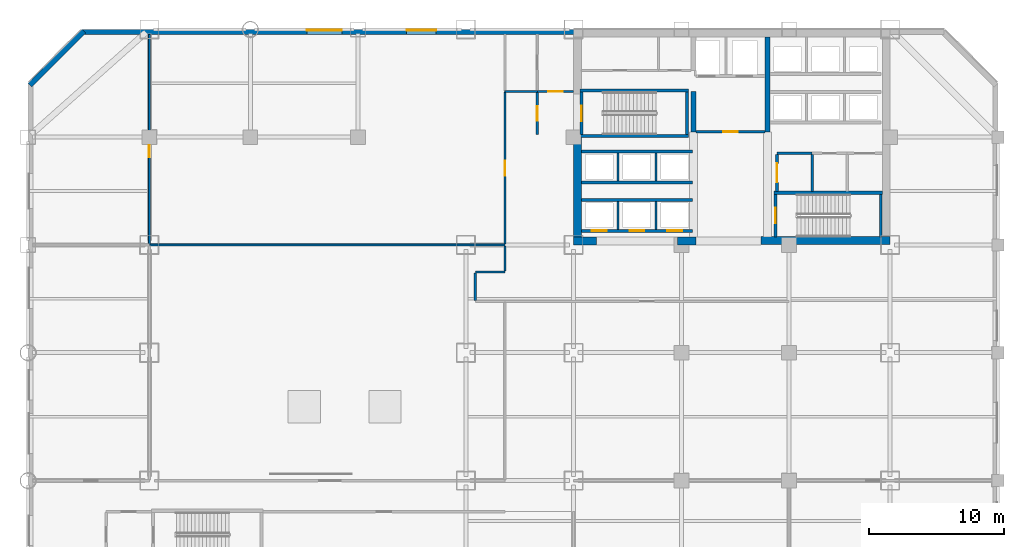
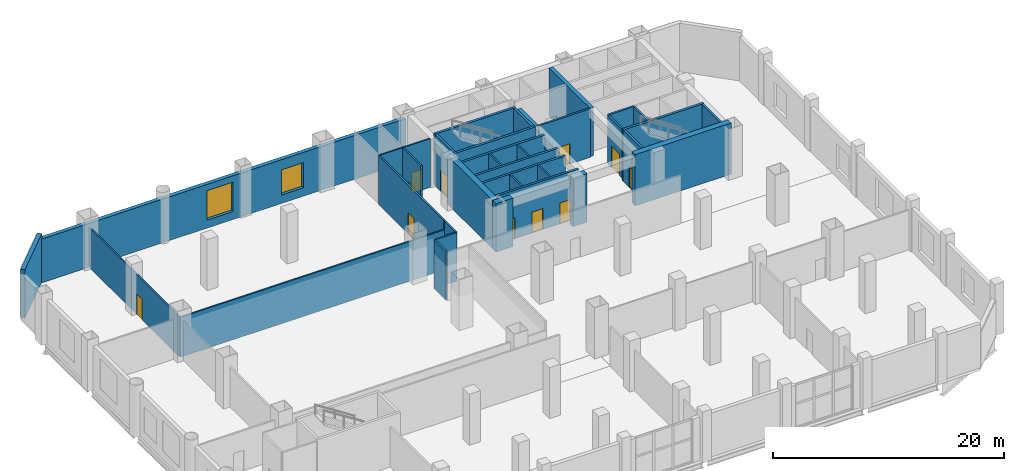
# One storey, part 12 of 18: 36 walls, 11 doors, 2 windows, 13 openings.
"""IFC4 building model written with IfcOpenShell, lengths in metres."""

from ifc_helpers import new_model, si_unit, direction, frame, frame_2d, origin, place, context, subcontext, project, spatial, rectangle, extrude, material, layer, layer_set, type_object, element, fill, save


model = new_model("IFC4")

# Units and contexts
model_context = context("Model", 3, precision=1e-05, world=origin(), true_north=direction((0.0, 1.0)))
body_context = subcontext(model_context, "Body", "Model", "MODEL_VIEW")
ifc_project = project(units=[si_unit("LENGTHUNIT", "METRE"), si_unit("AREAUNIT", "SQUARE_METRE"), si_unit("VOLUMEUNIT", "CUBIC_METRE"), si_unit("PLANEANGLEUNIT", "RADIAN"), si_unit("MASSUNIT", "GRAM", prefix="KILO")], contexts=[model_context])

# Site, building, storey
site_placement = place(None, origin())
site = spatial("IfcSite", under=ifc_project, at=site_placement, CompositionType="ELEMENT")
building_placement = place(site_placement, origin())
building = spatial("IfcBuilding", under=site, at=building_placement, Name="Qianrong Seaharbour Tower", CompositionType="ELEMENT")
storey_placement = place(building_placement, frame((0.0, 0.0, 6.0)))
storey = spatial("IfcBuildingStorey", under=building, at=storey_placement, Name="L02", CompositionType="ELEMENT", Elevation=6.0)

# Walls
ifc_material_1 = material(Name="Concrete C70/85", Category="concrete")
ifc_layer_1 = layer(ifc_material_1, 0.580078125)
ifc_layer_set_1 = layer_set([ifc_layer_1], Name="Concrete C70/85")
wall_type_1 = type_object("IfcWallType", Name="WALL-CORE-580", PredefinedType="SHEAR", material=ifc_layer_set_1)
wall_1_placement = place(storey_placement, frame((40.7900390625, 36.580078125, 0.0), z_axis=(0.0, 0.0, 1.0), x_axis=(0.0, 1.0, 0.0)))
element("IfcWall", 1, at=wall_1_placement, inside=storey, type_object=wall_type_1, Name="L02 West Core Shear Wall South", PredefinedType="SHEAR", context=body_context, shape_type="SweptSolid", body=[
    extrude(rectangle(XDim=7.81982421875, YDim=0.580078125, at=frame_2d((3.909912109375, 0.0))), origin(), (0.0, 0.0, 1.0), 5.1201171875),
])
wall_2_placement = place(storey_placement, frame((40.5, 36.2900390625, 0.0), z_axis=(0.0, 0.0, 1.0), x_axis=(1.0, 0.0, 0.0)))
element("IfcWall", 2, at=wall_2_placement, inside=storey, type_object=wall_type_1, Name="L02 South Core Shear Wall S1", PredefinedType="SHEAR", context=body_context, shape_type="SweptSolid", body=[
    extrude(rectangle(XDim=1.699951171875, YDim=0.580078125, at=frame_2d((0.85009765625, 0.0))), origin(), (0.0, 0.0, 1.0), 5.1201171875),
])
wall_3_placement = place(storey_placement, frame((48.199951171875, 36.2900390625, 0.0), z_axis=(0.0, 0.0, 1.0), x_axis=(1.0, 0.0, 0.0)))
element("IfcWall", 3, at=wall_3_placement, inside=storey, type_object=wall_type_1, Name="L02 South Core Shear Wall S2", PredefinedType="SHEAR", context=body_context, shape_type="SweptSolid", body=[
    extrude(rectangle(XDim=1.400146484375, YDim=0.580078125, at=frame_2d((0.7001953125, 0.0))), origin(), (0.0, 0.0, 1.0), 5.1201171875),
])
wall_4_placement = place(storey_placement, frame((54.39990234375, 36.320068359375, 0.0), z_axis=(0.0, 0.0, 1.0), x_axis=(1.0, 0.0, 0.0)))
element("IfcWall", 4, at=wall_4_placement, inside=storey, type_object=wall_type_1, Name="L02 South Core Shear Wall S3", PredefinedType="SHEAR", context=body_context, shape_type="SweptSolid", body=[
    extrude(rectangle(XDim=9.60009765625, YDim=0.580078125, at=frame_2d((4.800048828125, 0.0))), origin(), (0.0, 0.0, 1.0), 5.39990234375),
])
ifc_material_2 = material(Name="Concrete C60/75", Category="concrete")
ifc_layer_2 = layer(ifc_material_2, 0.3798828125)
ifc_layer_set_2 = layer_set([ifc_layer_2], Name="Concrete C60/75")
wall_type_2 = type_object("IfcWallType", Name="WALL-CORE-INT-380", PredefinedType="SHEAR", material=ifc_layer_set_2)
wall_5_placement = place(storey_placement, frame((49.39990234375, 44.39990234375, 0.0), z_axis=(0.0, 0.0, 1.0), x_axis=(0.0, 1.0, 0.0)))
element("IfcWall", 5, at=wall_5_placement, inside=storey, type_object=wall_type_2, Name="L02 Internal Core Shear Wall IW1N1", PredefinedType="SHEAR", context=body_context, shape_type="SweptSolid", body=[
    extrude(rectangle(XDim=3.0, YDim=0.3798828125, at=frame_2d((1.5, 0.0))), origin(), (0.0, 0.0, 1.0), 5.1201171875),
])
wall_6_placement = place(storey_placement, frame((54.89990234375, 44.39990234375, 0.0), z_axis=(0.0, 0.0, 1.0), x_axis=(0.0, 1.0, 0.0)))
element("IfcWall", 6, at=wall_6_placement, inside=storey, type_object=wall_type_2, Name="L02 Internal Core Shear Wall IW2N", PredefinedType="SHEAR", context=body_context, shape_type="SweptSolid", body=[
    extrude(rectangle(XDim=7.02001953125, YDim=0.3798828125, at=frame_2d((3.510009765625, 0.0))), origin(), (0.0, 0.0, 1.0), 5.1201171875),
])

# Wall, opening, door
ifc_material_3 = material(Name="Fire-rated acoustic gypsum board partition")
ifc_layer_3 = layer(ifc_material_3, 0.1650390625)
ifc_layer_set_3 = layer_set([ifc_layer_3], Name="Fire-rated acoustic gypsum board partition")
wall_type_3 = type_object("IfcWallType", Name="WALL-CORR-PART-165", PredefinedType="PARTITIONING", material=ifc_layer_set_3)
wall_7_placement = place(storey_placement, frame((37.800048828125, 47.39990234375, 0.0), z_axis=(0.0, 0.0, 1.0), x_axis=(1.0, 0.0, 0.0)))
wall_7 = element("IfcWall", 7, at=wall_7_placement, inside=storey, type_object=wall_type_3, Name="L02 Interior Partition Wall 001", PredefinedType="PARTITIONING", context=body_context, shape_type="SweptSolid", body=[
    extrude(rectangle(XDim=2.699951171875, YDim=0.1650390625, at=frame_2d((1.35009765625, 0.0))), origin(), (0.0, 0.0, 1.0), 5.1201171875),
])
opening_1_placement = place(wall_7_placement, frame((0.824951171875, 0.0, 0.0)))
opening_1 = element("IfcOpeningElement", 8, at=opening_1_placement, cuts=wall_7, Name="Opening DC-01", PredefinedType="OPENING", context=body_context, shape_type="SweptSolid", body=[
    extrude(rectangle(XDim=1.050048828125, YDim=2.14990234375, at=frame_2d((0.52490234375, 1.074951171875))), frame((0.0, 0.092529296875, 0.0), z_axis=(0.0, -1.0, 0.0), x_axis=(1.0, 0.0, 0.0)), (0.0, 0.0, 1.0), 0.18505859375),
])
ifc_material_4 = material(Name="Acoustic timber and galvanized steel fire door assembly", Category="steel")
door_type_1 = type_object("IfcDoorType", Name="DOOR-CORR-FD60-1050x2150", OperationType="NOTDEFINED", PredefinedType="DOOR", material=ifc_material_4)
door_1_placement = place(opening_1_placement, origin())
door_1 = element("IfcDoor", 9, at=door_1_placement, inside=storey, type_object=door_type_1, Name="L02 Smokeproof Stair Vestibule ST-1 Door", OperationType="SINGLE_SWING_RIGHT", OverallHeight=2.14990234375, OverallWidth=1.050048828125, PredefinedType="DOOR", context=body_context, shape_type="SweptSolid", body=[
    extrude(rectangle(XDim=1.050048828125, YDim=2.14990234375, at=frame_2d((0.52490234375, 1.074951171875))), frame((0.0, 0.02490234375, 0.0), z_axis=(0.0, -1.0, 0.0), x_axis=(1.0, 0.0, 0.0)), (0.0, 0.0, 1.0), 0.050048828125),
])
fill(opening_1, door_1)

wall_8_placement = place(storey_placement, frame((37.800048828125, 44.199951171875, 0.0), z_axis=(0.0, 0.0, 1.0), x_axis=(0.0, 1.0, 0.0)))
wall_8 = element("IfcWall", 10, at=wall_8_placement, inside=storey, type_object=wall_type_3, Name="L02 Interior Partition Wall 002", PredefinedType="PARTITIONING", context=body_context, shape_type="SweptSolid", body=[
    extrude(rectangle(XDim=3.12548828125, YDim=0.1650390625, at=frame_2d((1.562744140625, 0.0))), origin(), (0.0, 0.0, 1.0), 5.1201171875),
])
opening_2_placement = place(wall_8_placement, frame((1.03759765625, 0.0, 0.0)))
opening_2 = element("IfcOpeningElement", 11, at=opening_2_placement, cuts=wall_8, Name="Opening DC-01", PredefinedType="OPENING", context=body_context, shape_type="SweptSolid", body=[
    extrude(rectangle(XDim=1.050048828125, YDim=2.14990234375, at=frame_2d((0.52490234375, 1.074951171875))), frame((0.0, 0.092529296875, 0.0), z_axis=(0.0, -1.0, 0.0), x_axis=(1.0, 0.0, 0.0)), (0.0, 0.0, 1.0), 0.18505859375),
])
door_2_placement = place(opening_2_placement, origin())
door_2 = element("IfcDoor", 12, at=door_2_placement, inside=storey, type_object=door_type_1, Name="L02 Smokeproof Stair Vestibule ST-1 Door", OperationType="SINGLE_SWING_LEFT", OverallHeight=2.14990234375, OverallWidth=1.050048828125, PredefinedType="DOOR", context=body_context, shape_type="SweptSolid", body=[
    extrude(rectangle(XDim=1.050048828125, YDim=2.14990234375, at=frame_2d((0.52490234375, 1.074951171875))), frame((0.0, 0.02490234375, 0.0), z_axis=(0.0, -1.0, 0.0), x_axis=(1.0, 0.0, 0.0)), (0.0, 0.0, 1.0), 0.050048828125),
])
fill(opening_2, door_2)

# Walls
wall_9_placement = place(storey_placement, frame((33.199951171875, 31.87451171875, 0.0), z_axis=(0.0, 0.0, 1.0), x_axis=(0.0, 1.0, 0.0)))
element("IfcWall", 13, at=wall_9_placement, inside=storey, type_object=wall_type_3, Name="L02 Interior Partition Wall 020", PredefinedType="PARTITIONING", context=body_context, shape_type="SweptSolid", body=[
    extrude(rectangle(XDim=2.051025390625, YDim=0.1650390625, at=frame_2d((1.025390625, 0.0))), origin(), (0.0, 0.0, 1.0), 5.1201171875),
])
wall_10_placement = place(storey_placement, frame((33.199951171875, 34.0, 0.0), z_axis=(0.0, 0.0, 1.0), x_axis=(1.0, 0.0, 0.0)))
element("IfcWall", 14, at=wall_10_placement, inside=storey, type_object=wall_type_3, Name="L02 Interior Partition Wall 021", PredefinedType="PARTITIONING", context=body_context, shape_type="SweptSolid", body=[
    extrude(rectangle(XDim=2.199951171875, YDim=0.1650390625, at=frame_2d((1.10009765625, 0.0))), origin(), (0.0, 0.0, 1.0), 5.1201171875),
])
wall_11_placement = place(storey_placement, frame((35.39990234375, 34.074462890625, 0.0), z_axis=(0.0, 0.0, 1.0), x_axis=(0.0, 1.0, 0.0)))
element("IfcWall", 15, at=wall_11_placement, inside=storey, type_object=wall_type_3, Name="L02 Interior Partition Wall 023", PredefinedType="PARTITIONING", context=body_context, shape_type="SweptSolid", body=[
    extrude(rectangle(XDim=1.861083984375, YDim=0.1650390625, at=frame_2d((0.9306640625, 0.0))), origin(), (0.0, 0.0, 1.0), 5.1201171875),
])

# Wall, opening, door
wall_12_placement = place(storey_placement, frame((35.39990234375, 36.064453125, 0.0), z_axis=(0.0, 0.0, 1.0), x_axis=(0.0, 1.0, 0.0)))
wall_12 = element("IfcWall", 16, at=wall_12_placement, inside=storey, type_object=wall_type_3, Name="L02 Interior Partition Wall 024", PredefinedType="PARTITIONING", context=body_context, shape_type="SweptSolid", body=[
    extrude(rectangle(XDim=11.278564453125, YDim=0.1650390625, at=frame_2d((5.63916015625, 0.0))), origin(), (0.0, 0.0, 1.0), 5.1201171875),
])
opening_3_placement = place(wall_12_placement, frame((5.089111328125, 0.0, 0.0)))
opening_3 = element("IfcOpeningElement", 17, at=opening_3_placement, cuts=wall_12, Name="Opening DM-01", PredefinedType="OPENING", context=body_context, shape_type="SweptSolid", body=[
    extrude(rectangle(XDim=1.10009765625, YDim=2.199951171875, at=frame_2d((0.550048828125, 1.10009765625))), frame((0.0, 0.092529296875, 0.0), z_axis=(0.0, -1.0, 0.0), x_axis=(1.0, 0.0, 0.0)), (0.0, 0.0, 1.0), 0.18505859375),
])
door_type_2 = type_object("IfcDoorType", Name="DOOR-MEET-1100x2200", OperationType="NOTDEFINED", PredefinedType="DOOR", material=ifc_material_4)
door_3_placement = place(opening_3_placement, origin())
door_3 = element("IfcDoor", 18, at=door_3_placement, inside=storey, type_object=door_type_2, Name="L02 Client Briefing Room Door", OperationType="SINGLE_SWING_LEFT", OverallHeight=2.199951171875, OverallWidth=1.10009765625, PredefinedType="DOOR", context=body_context, shape_type="SweptSolid", body=[
    extrude(rectangle(XDim=1.10009765625, YDim=2.199951171875, at=frame_2d((0.550048828125, 1.10009765625))), frame((0.0, 0.02490234375, 0.0), z_axis=(0.0, -1.0, 0.0), x_axis=(1.0, 0.0, 0.0)), (0.0, 0.0, 1.0), 0.050048828125),
])
fill(opening_3, door_3)

# Wall
ifc_material_5 = material(Name="Natural honed granite dimension stone", Category="masonry")
ifc_layer_4 = layer(ifc_material_5, 0.3798828125)
ifc_layer_set_4 = layer_set([ifc_layer_4], Name="Natural honed granite dimension stone")
wall_type_4 = type_object("IfcWallType", Name="WALL-EXT-GRANITE-380", PredefinedType="SOLIDWALL", material=ifc_layer_set_4)
wall_13_placement = place(storey_placement, frame((0.13427734375, 47.86572265625, 0.0), z_axis=(0.0, 0.0, 1.0), x_axis=(0.707106781187, 0.707106781187, 0.0)))
element("IfcWall", 19, at=wall_13_placement, inside=storey, type_object=wall_type_4, Name="L02 Exterior Masonry Facade Wall E01", PredefinedType="SOLIDWALL", context=body_context, shape_type="SweptSolid", body=[
    extrude(rectangle(XDim=5.65673828125, YDim=0.3798828125, at=frame_2d((2.828369140625, 0.0))), origin(), (0.0, 0.0, 1.0), 5.1201171875),
])

# Wall, openings, windows
wall_14_placement = place(storey_placement, frame((4.0, 51.81005859375, 0.0), z_axis=(0.0, 0.0, 1.0), x_axis=(1.0, 0.0, 0.0)))
wall_14 = element("IfcWall", 20, at=wall_14_placement, inside=storey, type_object=wall_type_4, Name="L02 Exterior Masonry Facade Wall NORTH_WING", PredefinedType="SOLIDWALL", context=body_context, shape_type="SweptSolid", body=[
    extrude(rectangle(XDim=36.52001953125, YDim=0.3798828125, at=frame_2d((18.260009765625, 0.0))), origin(), (0.0, 0.0, 1.0), 4.6201171875),
])
opening_4_placement = place(wall_14_placement, frame((16.699951171875, 0.0, 0.85009765625)))
opening_4 = element("IfcOpeningElement", 21, at=opening_4_placement, cuts=wall_14, Name="Opening WN-11", PredefinedType="OPENING", context=body_context, shape_type="SweptSolid", body=[
    extrude(rectangle(XDim=2.60009765625, YDim=3.10009765625, at=frame_2d((1.300048828125, 1.550048828125))), frame((0.0, 0.199951171875, 0.0), z_axis=(0.0, -1.0, 0.0), x_axis=(1.0, 0.0, 0.0)), (0.0, 0.0, 1.0), 0.39990234375),
])
opening_5_placement = place(wall_14_placement, frame((24.10009765625, 0.0, 0.89990234375)))
opening_5 = element("IfcOpeningElement", 22, at=opening_5_placement, cuts=wall_14, Name="Opening WN-10", PredefinedType="OPENING", context=body_context, shape_type="SweptSolid", body=[
    extrude(rectangle(XDim=2.199951171875, YDim=2.64990234375, at=frame_2d((1.10009765625, 1.324951171875))), frame((0.0, 0.199951171875, 0.0), z_axis=(0.0, -1.0, 0.0), x_axis=(1.0, 0.0, 0.0)), (0.0, 0.0, 1.0), 0.39990234375),
])
ifc_material_6 = material(Name="Insulated low-e double glazing in thermally broken aluminium 6063-T6 frame", Category="aluminium")
window_type_1 = type_object("IfcWindowType", Name="WIN-POD-2600x3100", PartitioningType="TRIPLE_PANEL_VERTICAL", PredefinedType="WINDOW", material=ifc_material_6)
window_1_placement = place(opening_4_placement, origin())
window_1 = element("IfcWindow", 23, at=window_1_placement, inside=storey, type_object=window_type_1, Name="L02 Deep-Set Punched Window 02.05", OverallHeight=3.10009765625, OverallWidth=2.60009765625, PartitioningType="TRIPLE_PANEL_VERTICAL", PredefinedType="WINDOW", context=body_context, shape_type="SweptSolid", body=[
    extrude(rectangle(XDim=2.60009765625, YDim=3.10009765625, at=frame_2d((1.300048828125, 1.550048828125))), frame((0.0, 0.150146484375, 0.0), z_axis=(0.0, -1.0, 0.0), x_axis=(1.0, 0.0, 0.0)), (0.0, 0.0, 1.0), 0.06005859375),
])
fill(opening_4, window_1)
window_type_2 = type_object("IfcWindowType", Name="WIN-PUNCH-2200x2650", PartitioningType="TRIPLE_PANEL_VERTICAL", PredefinedType="WINDOW", material=ifc_material_6)
window_2_placement = place(opening_5_placement, origin())
window_2 = element("IfcWindow", 24, at=window_2_placement, inside=storey, type_object=window_type_2, Name="L02 Deep-Set Punched Window 02.07", OverallHeight=2.64990234375, OverallWidth=2.199951171875, PartitioningType="TRIPLE_PANEL_VERTICAL", PredefinedType="WINDOW", context=body_context, shape_type="SweptSolid", body=[
    extrude(rectangle(XDim=2.199951171875, YDim=2.64990234375, at=frame_2d((1.10009765625, 1.324951171875))), frame((0.0, 0.150146484375, 0.0), z_axis=(0.0, -1.0, 0.0), x_axis=(1.0, 0.0, 0.0)), (0.0, 0.0, 1.0), 0.06005859375),
])
fill(opening_5, window_2)

# Wall, opening, door
ifc_material_7 = material(Name="Double fire-rated gypsum board acoustic partition")
ifc_layer_5 = layer(ifc_material_7, 0.18994140625)
ifc_layer_set_5 = layer_set([ifc_layer_5], Name="Double fire-rated gypsum board acoustic partition")
wall_type_5 = type_object("IfcWallType", Name="WALL-FIRE-PART-190", PredefinedType="PARTITIONING", material=ifc_layer_set_5)
wall_15_placement = place(storey_placement, frame((54.718017578125, 44.39990234375, 0.0), z_axis=(0.0, 0.0, 1.0), x_axis=(-1.0, 0.0, 0.0)))
wall_15 = element("IfcWall", 25, at=wall_15_placement, inside=storey, type_object=wall_type_5, Name="L02 Interior Partition Wall 008", PredefinedType="PARTITIONING", context=body_context, shape_type="SweptSolid", body=[
    extrude(rectangle(XDim=5.135986328125, YDim=0.18994140625, at=frame_2d((2.56787109375, 0.0))), origin(), (0.0, 0.0, 1.0), 5.1201171875),
])
opening_6_placement = place(wall_15_placement, frame((2.04296875, 0.0, 0.0)))
opening_6 = element("IfcOpeningElement", 26, at=opening_6_placement, cuts=wall_15, Name="Opening DC-01", PredefinedType="OPENING", context=body_context, shape_type="SweptSolid", body=[
    extrude(rectangle(XDim=1.050048828125, YDim=2.14990234375, at=frame_2d((0.52490234375, 1.074951171875))), frame((0.0, 0.10498046875, 0.0), z_axis=(0.0, -1.0, 0.0), x_axis=(1.0, 0.0, 0.0)), (0.0, 0.0, 1.0), 0.2099609375),
])
door_4_placement = place(opening_6_placement, origin())
door_4 = element("IfcDoor", 27, at=door_4_placement, inside=storey, type_object=door_type_1, Name="L02 Firefighting Lift Lobby Door", OperationType="SINGLE_SWING_LEFT", OverallHeight=2.14990234375, OverallWidth=1.050048828125, PredefinedType="DOOR", context=body_context, shape_type="SweptSolid", body=[
    extrude(rectangle(XDim=1.050048828125, YDim=2.14990234375, at=frame_2d((0.52490234375, 1.074951171875))), frame((0.0, 0.02490234375, 0.0), z_axis=(0.0, -1.0, 0.0), x_axis=(1.0, 0.0, 0.0)), (0.0, 0.0, 1.0), 0.050048828125),
])
fill(opening_6, door_4)

wall_16_placement = place(storey_placement, frame((55.60009765625, 42.712890625, 0.0), z_axis=(0.0, 0.0, 1.0), x_axis=(0.0, -1.0, 0.0)))
wall_16 = element("IfcWall", 28, at=wall_16_placement, inside=storey, type_object=wall_type_5, Name="L02 Interior Partition Wall 009", PredefinedType="PARTITIONING", context=body_context, shape_type="SweptSolid", body=[
    extrude(rectangle(XDim=2.73095703125, YDim=0.18994140625, at=frame_2d((1.365478515625, 0.0))), origin(), (0.0, 0.0, 1.0), 5.1201171875),
])
opening_7_placement = place(wall_16_placement, frame((0.66552734375, 0.0, 0.0)))
opening_7 = element("IfcOpeningElement", 29, at=opening_7_placement, cuts=wall_16, Name="Opening DP-01", PredefinedType="OPENING", context=body_context, shape_type="SweptSolid", body=[
    extrude(rectangle(XDim=1.39990234375, YDim=2.25, at=frame_2d((0.699951171875, 1.125))), frame((0.0, 0.10498046875, 0.0), z_axis=(0.0, -1.0, 0.0), x_axis=(1.0, 0.0, 0.0)), (0.0, 0.0, 1.0), 0.2099609375),
])
door_type_3 = type_object("IfcDoorType", Name="DOOR-PLANT-PAIR-1400x2250", OperationType="DOUBLE_DOOR_SINGLE_SWING", PredefinedType="DOOR", material=ifc_material_4)
door_5_placement = place(opening_7_placement, origin())
door_5 = element("IfcDoor", 30, at=door_5_placement, inside=storey, type_object=door_type_3, Name="L02 Core Telecom Room Door", OperationType="DOUBLE_DOOR_SINGLE_SWING", OverallHeight=2.25, OverallWidth=1.39990234375, PredefinedType="DOOR", context=body_context, shape_type="SweptSolid", body=[
    extrude(rectangle(XDim=1.39990234375, YDim=2.25, at=frame_2d((0.699951171875, 1.125))), frame((0.0, 0.02490234375, 0.0), z_axis=(0.0, -1.0, 0.0), x_axis=(1.0, 0.0, 0.0)), (0.0, 0.0, 1.0), 0.050048828125),
])
fill(opening_7, door_5)

# Walls
wall_17_placement = place(storey_placement, frame((58.199951171875, 42.800048828125, 0.0), z_axis=(0.0, 0.0, 1.0), x_axis=(-1.0, 0.0, 0.0)))
element("IfcWall", 31, at=wall_17_placement, inside=storey, type_object=wall_type_5, Name="L02 Interior Partition Wall 010", PredefinedType="PARTITIONING", context=body_context, shape_type="SweptSolid", body=[
    extrude(rectangle(XDim=2.599853515625, YDim=0.18994140625, at=frame_2d((1.2998046875, 0.0))), origin(), (0.0, 0.0, 1.0), 5.1201171875),
])
wall_18_placement = place(storey_placement, frame((58.199951171875, 42.712890625, 0.0), z_axis=(0.0, 0.0, 1.0), x_axis=(0.0, -1.0, 0.0)))
element("IfcWall", 32, at=wall_18_placement, inside=storey, type_object=wall_type_5, Name="L02 Interior Partition Wall 014", PredefinedType="PARTITIONING", context=body_context, shape_type="SweptSolid", body=[
    extrude(rectangle(XDim=2.73095703125, YDim=0.18994140625, at=frame_2d((1.365478515625, 0.0))), origin(), (0.0, 0.0, 1.0), 5.1201171875),
])
ifc_material_8 = material(Name="Acoustic gypsum board stud partition")
ifc_layer_6 = layer(ifc_material_8, 0.14501953125)
ifc_layer_set_6 = layer_set([ifc_layer_6], Name="Acoustic gypsum board stud partition")
wall_type_6 = type_object("IfcWallType", Name="WALL-OFFICE-PART-145", PredefinedType="PARTITIONING", material=ifc_layer_set_6)
wall_19_placement = place(storey_placement, frame((9.0, 36.0, 0.0), z_axis=(0.0, 0.0, 1.0), x_axis=(1.0, 0.0, 0.0)))
element("IfcWall", 33, at=wall_19_placement, inside=storey, type_object=wall_type_6, Name="L02 Interior Partition Wall 028", PredefinedType="PARTITIONING", context=body_context, shape_type="SweptSolid", body=[
    extrude(rectangle(XDim=26.39990234375, YDim=0.14501953125, at=frame_2d((13.199951171875, 0.0))), origin(), (0.0, 0.0, 1.0), 4.2119140625),
])

# Wall, opening, door
wall_20_placement = place(storey_placement, frame((9.0, 36.064453125, 0.0), z_axis=(0.0, 0.0, 1.0), x_axis=(0.0, 1.0, 0.0)))
wall_20 = element("IfcWall", 34, at=wall_20_placement, inside=storey, type_object=wall_type_6, Name="L02 Interior Partition Wall 032", PredefinedType="PARTITIONING", context=body_context, shape_type="SweptSolid", body=[
    extrude(rectangle(XDim=15.5634765625, YDim=0.14501953125, at=frame_2d((7.78173828125, 0.0))), origin(), (0.0, 0.0, 1.0), 4.2119140625),
])
opening_8_placement = place(wall_20_placement, frame((6.431640625, 0.0, 0.0)))
opening_8 = element("IfcOpeningElement", 35, at=opening_8_placement, cuts=wall_20, Name="Opening DS-01", PredefinedType="OPENING", context=body_context, shape_type="SweptSolid", body=[
    extrude(rectangle(XDim=0.89990234375, YDim=2.14990234375, at=frame_2d((0.449951171875, 1.074951171875))), frame((0.0, 0.08251953125, 0.0), z_axis=(0.0, -1.0, 0.0), x_axis=(1.0, 0.0, 0.0)), (0.0, 0.0, 1.0), 0.1650390625),
])
door_type_4 = type_object("IfcDoorType", Name="DOOR-STORE-900x2150", OperationType="NOTDEFINED", PredefinedType="DOOR", material=ifc_material_4)
door_6_placement = place(opening_8_placement, origin())
door_6 = element("IfcDoor", 36, at=door_6_placement, inside=storey, type_object=door_type_4, Name="L02 Briefing Furniture Store Door", OperationType="SINGLE_SWING_RIGHT", OverallHeight=2.14990234375, OverallWidth=0.89990234375, PredefinedType="DOOR", context=body_context, shape_type="SweptSolid", body=[
    extrude(rectangle(XDim=0.89990234375, YDim=2.14990234375, at=frame_2d((0.449951171875, 1.074951171875))), frame((0.0, 0.02490234375, 0.0), z_axis=(0.0, -1.0, 0.0), x_axis=(1.0, 0.0, 0.0)), (0.0, 0.0, 1.0), 0.050048828125),
])
fill(opening_8, door_6)

# Walls
ifc_material_9 = material(Name="Fire-rated gypsum board on steel studs", Category="steel")
ifc_layer_7 = layer(ifc_material_9, 0.14990234375)
ifc_layer_set_7 = layer_set([ifc_layer_7], Name="Fire-rated gypsum board on steel studs")
wall_type_7 = type_object("IfcWallType", Name="WALL-SHAFT-DIV-150", PredefinedType="PARTITIONING", material=ifc_layer_set_7)
for number, where, z_axis, x_axis, name in (
    (37, (43.800048828125, 37.159912109375, 0.0), (0.0, 0.0, 1.0), (0.0, 1.0, 0.0), "L02 P1 Lift Hoistway Divider 2"),
    (38, (46.60009765625, 37.159912109375, 0.0), (0.0, 0.0, 1.0), (0.0, 1.0, 0.0), "L02 P1 Lift Hoistway Divider 3"),
    (39, (43.800048828125, 40.760009765625, 0.0), (0.0, 0.0, 1.0), (0.0, 1.0, 0.0), "L02 P2 Lift Hoistway Divider 2"),
    (40, (46.60009765625, 40.760009765625, 0.0), (0.0, 0.0, 1.0), (0.0, 1.0, 0.0), "L02 P2 Lift Hoistway Divider 3"),
):
    element("IfcWall", number, at=place(storey_placement, frame(where, z_axis=z_axis, x_axis=x_axis)), inside=storey, type_object=wall_type_7, Name=name, PredefinedType="PARTITIONING", context=body_context, shape_type="SweptSolid", body=[
        extrude(rectangle(XDim=2.080078125, YDim=0.14990234375, at=frame_2d((1.0400390625, 0.0))), origin(), (0.0, 0.0, 1.0), 5.1201171875),
    ])

# Wall, openings, doors
ifc_layer_8 = layer(ifc_material_9, 0.219970703125)
ifc_layer_set_8 = layer_set([ifc_layer_8], Name="Fire-rated gypsum board on steel studs")
wall_type_8 = type_object("IfcWallType", Name="WALL-SHAFT-GYP220", PredefinedType="PARTITIONING", material=ifc_layer_set_8)
wall_21_placement = place(storey_placement, frame((49.320068359375, 37.050048828125, 0.0), z_axis=(0.0, 0.0, 1.0), x_axis=(-1.0, 0.0, 0.0)))
wall_21 = element("IfcWall", 41, at=wall_21_placement, inside=storey, type_object=wall_type_8, Name="L02 P1 Lift Hoistway Front Wall", PredefinedType="PARTITIONING", context=body_context, shape_type="SweptSolid", body=[
    extrude(rectangle(XDim=8.239990234375, YDim=0.219970703125, at=frame_2d((4.1201171875, 0.0))), origin(), (0.0, 0.0, 1.0), 5.1201171875),
])
opening_9_placement = place(wall_21_placement, frame((6.3701171875, 0.0, 0.0)))
opening_9 = element("IfcOpeningElement", 42, at=opening_9_placement, cuts=wall_21, Name="Opening LD-02", PredefinedType="OPENING", context=body_context, shape_type="SweptSolid", body=[
    extrude(rectangle(XDim=1.10009765625, YDim=2.199951171875, at=frame_2d((0.550048828125, 1.10009765625))), frame((0.0, 0.1201171875, 0.0), z_axis=(0.0, -1.0, 0.0), x_axis=(1.0, 0.0, 0.0)), (0.0, 0.0, 1.0), 0.239990234375),
])
opening_10_placement = place(wall_21_placement, frame((3.570068359375, 0.0, 0.0)))
opening_10 = element("IfcOpeningElement", 43, at=opening_10_placement, cuts=wall_21, Name="Opening LD-02", PredefinedType="OPENING", context=body_context, shape_type="SweptSolid", body=[
    extrude(rectangle(XDim=1.10009765625, YDim=2.199951171875, at=frame_2d((0.550048828125, 1.10009765625))), frame((0.0, 0.1201171875, 0.0), z_axis=(0.0, -1.0, 0.0), x_axis=(1.0, 0.0, 0.0)), (0.0, 0.0, 1.0), 0.239990234375),
])
opening_11_placement = place(wall_21_placement, frame((0.77001953125, 0.0, 0.0)))
opening_11 = element("IfcOpeningElement", 44, at=opening_11_placement, cuts=wall_21, Name="Opening LD-02", PredefinedType="OPENING", context=body_context, shape_type="SweptSolid", body=[
    extrude(rectangle(XDim=1.10009765625, YDim=2.199951171875, at=frame_2d((0.550048828125, 1.10009765625))), frame((0.0, 0.1201171875, 0.0), z_axis=(0.0, -1.0, 0.0), x_axis=(1.0, 0.0, 0.0)), (0.0, 0.0, 1.0), 0.239990234375),
])
ifc_material_10 = material(Name="Stainless steel SUS316L bi-parting lift landing door", Category="steel")
door_type_5 = type_object("IfcDoorType", Name="DOOR-LIFT-PASS-1100x2200", OperationType="DOUBLE_DOOR_SLIDING", PredefinedType="DOOR", material=ifc_material_10)
door_7_placement = place(opening_9_placement, origin())
door_7 = element("IfcDoor", 45, at=door_7_placement, inside=storey, type_object=door_type_5, Name="L02 PL-1A Lift Landing Door", OperationType="DOUBLE_DOOR_SLIDING", OverallHeight=2.199951171875, OverallWidth=1.10009765625, PredefinedType="DOOR", context=body_context, shape_type="SweptSolid", body=[
    extrude(rectangle(XDim=1.10009765625, YDim=2.199951171875, at=frame_2d((0.550048828125, 1.10009765625))), frame((0.0, 0.02490234375, 0.0), z_axis=(0.0, -1.0, 0.0), x_axis=(1.0, 0.0, 0.0)), (0.0, 0.0, 1.0), 0.050048828125),
])
fill(opening_9, door_7)
door_8_placement = place(opening_10_placement, origin())
door_8 = element("IfcDoor", 46, at=door_8_placement, inside=storey, type_object=door_type_5, Name="L02 PL-1B Lift Landing Door", OperationType="DOUBLE_DOOR_SLIDING", OverallHeight=2.199951171875, OverallWidth=1.10009765625, PredefinedType="DOOR", context=body_context, shape_type="SweptSolid", body=[
    extrude(rectangle(XDim=1.10009765625, YDim=2.199951171875, at=frame_2d((0.550048828125, 1.10009765625))), frame((0.0, 0.02490234375, 0.0), z_axis=(0.0, -1.0, 0.0), x_axis=(1.0, 0.0, 0.0)), (0.0, 0.0, 1.0), 0.050048828125),
])
fill(opening_10, door_8)
door_9_placement = place(opening_11_placement, origin())
door_9 = element("IfcDoor", 47, at=door_9_placement, inside=storey, type_object=door_type_5, Name="L02 PL-1C Lift Landing Door", OperationType="DOUBLE_DOOR_SLIDING", OverallHeight=2.199951171875, OverallWidth=1.10009765625, PredefinedType="DOOR", context=body_context, shape_type="SweptSolid", body=[
    extrude(rectangle(XDim=1.10009765625, YDim=2.199951171875, at=frame_2d((0.550048828125, 1.10009765625))), frame((0.0, 0.02490234375, 0.0), z_axis=(0.0, -1.0, 0.0), x_axis=(1.0, 0.0, 0.0)), (0.0, 0.0, 1.0), 0.050048828125),
])
fill(opening_11, door_9)

# Walls
for number, where, z_axis, x_axis, name in (
    (48, (41.080078125, 39.35009765625, 0.0), (0.0, 0.0, 1.0), (1.0, 0.0, 0.0), "L02 P1 Lift Hoistway Back Wall"),
    (49, (49.320068359375, 40.64990234375, 0.0), (0.0, 0.0, 1.0), (-1.0, 0.0, 0.0), "L02 P2 Lift Hoistway Front Wall"),
    (50, (41.080078125, 42.949951171875, 0.0), (0.0, 0.0, 1.0), (1.0, 0.0, 0.0), "L02 P2 Lift Hoistway Back Wall"),
):
    element("IfcWall", number, at=place(storey_placement, frame(where, z_axis=z_axis, x_axis=x_axis)), inside=storey, type_object=wall_type_8, Name=name, PredefinedType="PARTITIONING", context=body_context, shape_type="SweptSolid", body=[
        extrude(rectangle(XDim=8.239990234375, YDim=0.219970703125, at=frame_2d((4.1201171875, 0.0))), origin(), (0.0, 0.0, 1.0), 5.1201171875),
    ])
ifc_material_11 = material(Name="Concrete C50/60", Category="concrete")
ifc_layer_9 = layer(ifc_material_11, 0.239990234375)
ifc_layer_set_9 = layer_set([ifc_layer_9], Name="Concrete C50/60")
wall_type_9 = type_object("IfcWallType", Name="WALL-SHAFT-RC240", PredefinedType="SOLIDWALL", material=ifc_layer_set_9)
for number, where, z_axis, x_axis, name in (
    (51, (40.9599609375, 47.469970703125, 0.0), (0.0, 0.0, 1.0), (1.0, 0.0, 0.0), "L02 ST-1 Structural Stair Core Wall N"),
    (52, (49.0400390625, 44.080078125, 0.0), (0.0, 0.0, 1.0), (-1.0, 0.0, 0.0), "L02 ST-1 Structural Stair Core Wall S"),
):
    element("IfcWall", number, at=place(storey_placement, frame(where, z_axis=z_axis, x_axis=x_axis)), inside=storey, type_object=wall_type_9, Name=name, PredefinedType="SOLIDWALL", context=body_context, shape_type="SweptSolid", body=[
        extrude(rectangle(XDim=8.080078125, YDim=0.239990234375, at=frame_2d((4.0400390625, 0.0))), origin(), (0.0, 0.0, 1.0), 5.39990234375),
    ])

# Wall, opening, door
wall_22_placement = place(storey_placement, frame((41.080078125, 47.35009765625, 0.0), z_axis=(0.0, 0.0, 1.0), x_axis=(0.0, -1.0, 0.0)))
wall_22 = element("IfcWall", 53, at=wall_22_placement, inside=storey, type_object=wall_type_9, Name="L02 ST-1 Structural Stair Core Wall W", PredefinedType="SOLIDWALL", context=body_context, shape_type="SweptSolid", body=[
    extrude(rectangle(XDim=3.150146484375, YDim=0.239990234375, at=frame_2d((1.5751953125, 0.0))), origin(), (0.0, 0.0, 1.0), 5.39990234375),
])
opening_12_placement = place(wall_22_placement, frame((1.0, 0.0, 0.0)))
opening_12 = element("IfcOpeningElement", 54, at=opening_12_placement, cuts=wall_22, Name="Opening SD-01", PredefinedType="OPENING", context=body_context, shape_type="SweptSolid", body=[
    extrude(rectangle(XDim=1.14990234375, YDim=2.199951171875, at=frame_2d((0.574951171875, 1.10009765625))), frame((0.0, 0.1298828125, 0.0), z_axis=(0.0, -1.0, 0.0), x_axis=(1.0, 0.0, 0.0)), (0.0, 0.0, 1.0), 0.260009765625),
])
door_type_6 = type_object("IfcDoorType", Name="DOOR-STAIR-FD60-1150x2200", OperationType="NOTDEFINED", PredefinedType="DOOR", material=ifc_material_4)
door_10_placement = place(opening_12_placement, origin())
door_10 = element("IfcDoor", 55, at=door_10_placement, inside=storey, type_object=door_type_6, Name="L02 ST-1 Protected Stair Door", OperationType="SINGLE_SWING_LEFT", OverallHeight=2.199951171875, OverallWidth=1.14990234375, PredefinedType="DOOR", context=body_context, shape_type="SweptSolid", body=[
    extrude(rectangle(XDim=1.14990234375, YDim=2.199951171875, at=frame_2d((0.574951171875, 1.10009765625))), frame((0.0, 0.02490234375, 0.0), z_axis=(0.0, -1.0, 0.0), x_axis=(1.0, 0.0, 0.0)), (0.0, 0.0, 1.0), 0.050048828125),
])
fill(opening_12, door_10)

# Walls
wall_23_placement = place(storey_placement, frame((48.919921875, 44.199951171875, 0.0), z_axis=(0.0, 0.0, 1.0), x_axis=(0.0, 1.0, 0.0)))
element("IfcWall", 56, at=wall_23_placement, inside=storey, type_object=wall_type_9, Name="L02 ST-1 Structural Stair Core Wall E", PredefinedType="SOLIDWALL", context=body_context, shape_type="SweptSolid", body=[
    extrude(rectangle(XDim=3.150146484375, YDim=0.239990234375, at=frame_2d((1.5751953125, 0.0))), origin(), (0.0, 0.0, 1.0), 5.39990234375),
])
wall_24_placement = place(storey_placement, frame((55.360107421875, 39.8701171875, 0.0), z_axis=(0.0, 0.0, 1.0), x_axis=(1.0, 0.0, 0.0)))
element("IfcWall", 57, at=wall_24_placement, inside=storey, type_object=wall_type_9, Name="L02 ST-2 Structural Stair Core Wall N", PredefinedType="SOLIDWALL", context=body_context, shape_type="SweptSolid", body=[
    extrude(rectangle(XDim=8.079833984375, YDim=0.239990234375, at=frame_2d((4.0400390625, 0.0))), origin(), (0.0, 0.0, 1.0), 5.39990234375),
])

# Wall, opening, door
wall_25_placement = place(storey_placement, frame((55.47998046875, 39.75, 0.0), z_axis=(0.0, 0.0, 1.0), x_axis=(0.0, -1.0, 0.0)))
wall_25 = element("IfcWall", 58, at=wall_25_placement, inside=storey, type_object=wall_type_9, Name="L02 ST-2 Structural Stair Core Wall W", PredefinedType="SOLIDWALL", context=body_context, shape_type="SweptSolid", body=[
    extrude(rectangle(XDim=3.14990234375, YDim=0.239990234375, at=frame_2d((1.574951171875, 0.0))), origin(), (0.0, 0.0, 1.0), 5.39990234375),
])
opening_13_placement = place(wall_25_placement, frame((1.0, 0.0, 0.0)))
opening_13 = element("IfcOpeningElement", 59, at=opening_13_placement, cuts=wall_25, Name="Opening SD-01", PredefinedType="OPENING", context=body_context, shape_type="SweptSolid", body=[
    extrude(rectangle(XDim=1.14990234375, YDim=2.199951171875, at=frame_2d((0.574951171875, 1.10009765625))), frame((0.0, 0.1298828125, 0.0), z_axis=(0.0, -1.0, 0.0), x_axis=(1.0, 0.0, 0.0)), (0.0, 0.0, 1.0), 0.260009765625),
])
door_11_placement = place(opening_13_placement, origin())
door_11 = element("IfcDoor", 60, at=door_11_placement, inside=storey, type_object=door_type_6, Name="L02 ST-2 Protected Stair Door", OperationType="SINGLE_SWING_LEFT", OverallHeight=2.199951171875, OverallWidth=1.14990234375, PredefinedType="DOOR", context=body_context, shape_type="SweptSolid", body=[
    extrude(rectangle(XDim=1.14990234375, YDim=2.199951171875, at=frame_2d((0.574951171875, 1.10009765625))), frame((0.0, 0.02490234375, 0.0), z_axis=(0.0, -1.0, 0.0), x_axis=(1.0, 0.0, 0.0)), (0.0, 0.0, 1.0), 0.050048828125),
])
fill(opening_13, door_11)

# Walls
wall_26_placement = place(storey_placement, frame((63.2900390625, 36.60009765625, 0.0), z_axis=(0.0, 0.0, 1.0), x_axis=(0.0, 1.0, 0.0)))
element("IfcWall", 61, at=wall_26_placement, inside=storey, type_object=wall_type_9, Name="L02 ST-2 Structural Stair Core Wall E", PredefinedType="SOLIDWALL", context=body_context, shape_type="SweptSolid", body=[
    extrude(rectangle(XDim=3.14990234375, YDim=0.179931640625, at=frame_2d((1.574951171875, 0.0))), origin(), (0.0, 0.0, 1.0), 5.39990234375),
])
ifc_material_12 = material(Name="Water-resistant cement board sanitary partition")
ifc_layer_10 = layer(ifc_material_12, 0.1298828125)
ifc_layer_set_10 = layer_set([ifc_layer_10], Name="Water-resistant cement board sanitary partition")
wall_type_10 = type_object("IfcWallType", Name="WALL-WET-PART-130", PredefinedType="PARTITIONING", material=ifc_layer_set_10)
wall_27_placement = place(storey_placement, frame((37.800048828125, 47.39990234375, 0.0), z_axis=(0.0, 0.0, 1.0), x_axis=(-1.0, 0.0, 0.0)))
element("IfcWall", 62, at=wall_27_placement, inside=storey, type_object=wall_type_10, Name="L02 Interior Partition Wall 004", PredefinedType="PARTITIONING", context=body_context, shape_type="SweptSolid", body=[
    extrude(rectangle(XDim=2.400146484375, YDim=0.1298828125, at=frame_2d((1.2001953125, 0.0))), origin(), (0.0, 0.0, 1.0), 5.1201171875),
])

save(model, "model.ifc")
